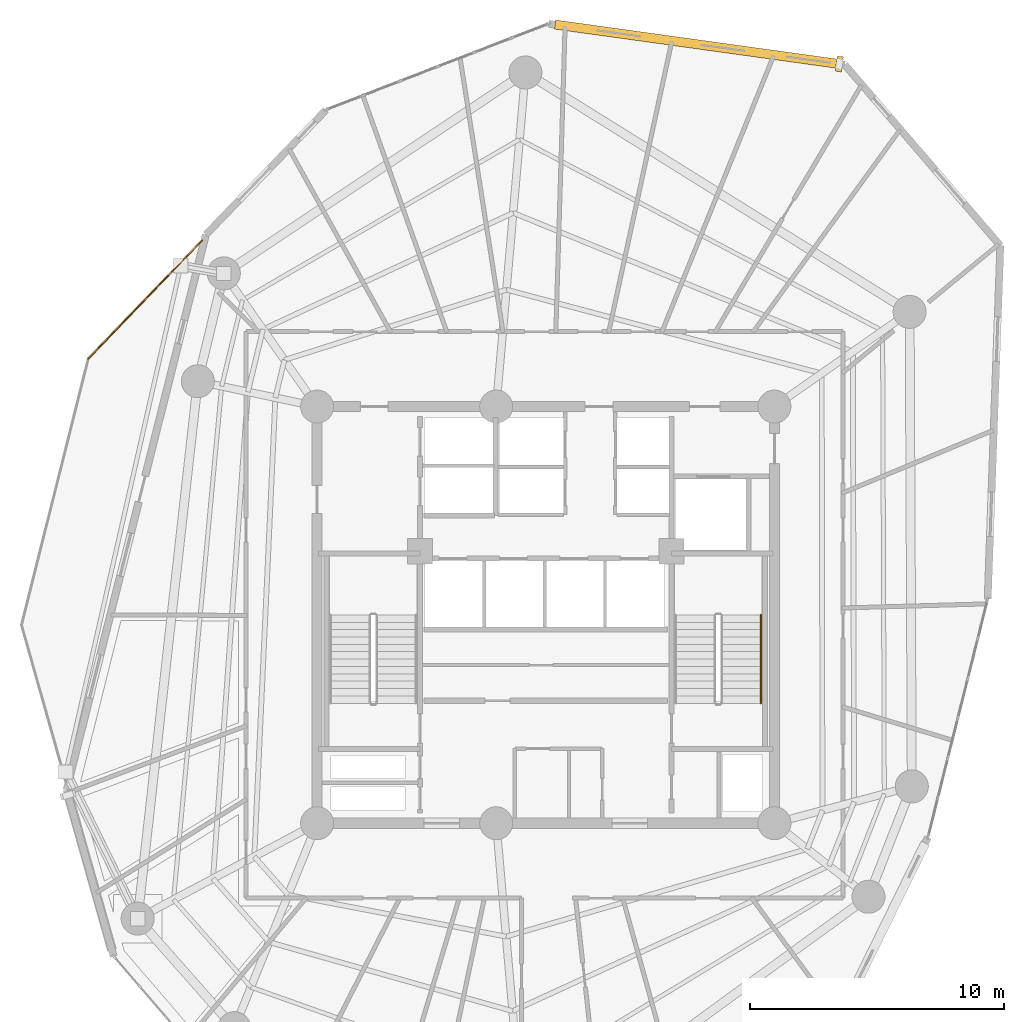
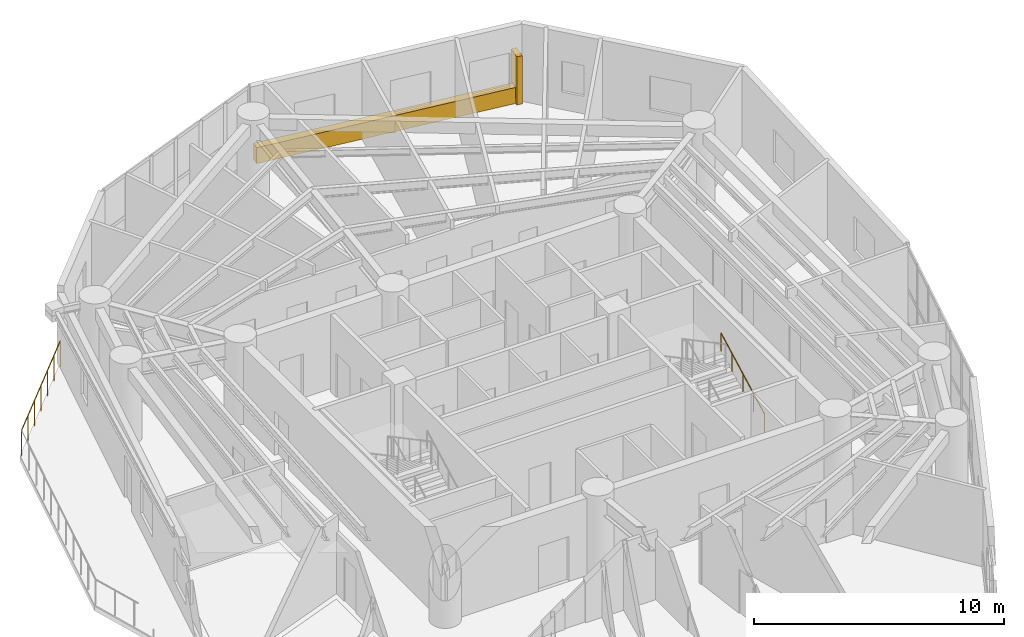
# One storey, part 14 of 14: 2 railings, 1 covering, 1 shading device.
"""IFC4 building model written with IfcOpenShell, lengths in metres."""

from ifc_helpers import new_model, si_unit, direction, frame, origin, origin_with_axes, origin_2d, place, context, subcontext, project, spatial, rectangle, circle, extrude, source, transform, mapped, material, layer, layer_set, type_object, element, save


model = new_model("IFC4")

# Units and contexts
model_context = context("Model", 3, precision=1e-05, world=origin(), true_north=direction((0.0, 1.0)))
body_context = subcontext(model_context, "Body", "Model", "MODEL_VIEW")
ifc_project = project(units=[si_unit("LENGTHUNIT", "METRE"), si_unit("AREAUNIT", "SQUARE_METRE"), si_unit("VOLUMEUNIT", "CUBIC_METRE"), si_unit("PLANEANGLEUNIT", "RADIAN"), si_unit("MASSUNIT", "GRAM", prefix="KILO")], contexts=[model_context])

# Site, building, storey
site_placement = place(None, origin())
site = spatial("IfcSite", under=ifc_project, at=site_placement, CompositionType="ELEMENT")
building_placement = place(site_placement, origin())
building = spatial("IfcBuilding", under=site, at=building_placement, Name="Karkom Vertical University and Central Library", CompositionType="ELEMENT")
storey_placement = place(building_placement, frame((0.0, 0.0, 152.550048828125)))
storey = spatial("IfcBuildingStorey", under=building, at=storey_placement, Name="L43", CompositionType="ELEMENT", Elevation=152.550048828125)

# Railings
ifc_material_1 = material(Name="Architectural painted steel & laminated glass balustrade", Category="steel")
ifc_layer_1 = layer(ifc_material_1, 0.090087890625)
ifc_layer_set_1 = layer_set([ifc_layer_1], Name="Architectural painted steel & laminated glass balustrade")
railing_type_1 = type_object("IfcRailingType", Name="ENV-RL-BAL1300", PredefinedType="BALUSTRADE", material=ifc_layer_set_1)
railing_1_placement = place(storey_placement, frame((10.4951171875, 36.58447265625, 0.0)))
element("IfcRailing", 1, at=railing_1_placement, inside=storey, type_object=railing_type_1, Name="Level 43 Planted Terrace Safety Balustrade 02", PredefinedType="BALUSTRADE", context=body_context, shape_type="SweptSolid", body=[
    extrude(circle(Radius=0.02392578125, at=origin_2d()), frame((0.0, 0.0, 1.27587890625), z_axis=(0.693717214247, 0.720247475981, 0.0), x_axis=(-0.720247475981, 0.693717214247, 0.0)), (0.0, 0.0, 1.0), 6.4599609375),
    extrude(circle(Radius=0.02099609375, at=origin_2d()), origin(), (0.0, 0.0, 1.0), 1.251953125),
    extrude(circle(Radius=0.02099609375, at=origin_2d()), frame((0.746826171875, 0.775390625, 0.0)), (0.0, 0.0, 1.0), 1.251953125),
    extrude(circle(Radius=0.02099609375, at=origin_2d()), frame((1.493896484375, 1.551025390625, 0.0)), (0.0, 0.0, 1.0), 1.251953125),
    extrude(circle(Radius=0.02099609375, at=origin_2d()), frame((2.24072265625, 2.326416015625, 0.0)), (0.0, 0.0, 1.0), 1.251953125),
    extrude(circle(Radius=0.02099609375, at=origin_2d()), frame((2.987548828125, 3.101806640625, 0.0)), (0.0, 0.0, 1.0), 1.251953125),
    extrude(circle(Radius=0.02099609375, at=origin_2d()), frame((3.734619140625, 3.87744140625, 0.0)), (0.0, 0.0, 1.0), 1.251953125),
    extrude(circle(Radius=0.02099609375, at=origin_2d()), frame((4.4814453125, 4.65283203125, 0.0)), (0.0, 0.0, 1.0), 1.251953125),
])
ifc_material_2 = material(Name="Brushed stainless-steel tubular handrail", Category="steel")
ifc_layer_2 = layer(ifc_material_2, 0.048095703125)
ifc_layer_set_2 = layer_set([ifc_layer_2], Name="Brushed stainless-steel tubular handrail")
railing_type_2 = type_object("IfcRailingType", Name="INT-RL-HAND920", PredefinedType="HANDRAIL", material=ifc_layer_set_2)
railing_2_placement = place(storey_placement, frame((36.969970703125, 23.02001953125, 0.15380859375)))
element("IfcRailing", 2, at=railing_2_placement, inside=storey, type_object=railing_type_2, Name="Level 43 ST-2 stair handrail 1", PredefinedType="HANDRAIL", context=body_context, shape_type="SweptSolid", body=[
    extrude(circle(Radius=0.02392578125, at=origin_2d()), frame((0.0, 0.0, 0.8759765625), z_axis=(0.0, 0.883383580571, 0.468650669025), x_axis=(-1.0, 0.0, 0.0)), (0.0, 0.0, 1.0), 3.939453125),
    extrude(circle(Radius=0.02099609375, at=origin_2d()), origin(), (0.0, 0.0, 1.0), 0.851806640625),
    extrude(circle(Radius=0.02099609375, at=origin_2d()), frame((0.0, 0.8701171875, 0.46142578125)), (0.0, 0.0, 1.0), 0.851806640625),
    extrude(circle(Radius=0.02099609375, at=origin_2d()), frame((0.0, 1.739990234375, 0.923095703125)), (0.0, 0.0, 1.0), 0.851806640625),
    extrude(circle(Radius=0.02099609375, at=origin_2d()), frame((0.0, 2.60986328125, 1.384765625)), (0.0, 0.0, 1.0), 0.851806640625),
    extrude(circle(Radius=0.02099609375, at=origin_2d()), frame((0.0, 3.47998046875, 1.84619140625)), (0.0, 0.0, 1.0), 0.851806640625),
])

# Shading device
ifc_material_3 = material(Name="Terracotta-clad precast concrete sun-breaker fin C45/55", Category="masonry")
shading_device_type = type_object("IfcShadingDeviceType", Name="ENV-SHD-BRISE", PredefinedType="USERDEFINED", material=ifc_material_3)
shared_shape_1 = source(origin_with_axes(), body_context, "Body", "SweptSolid", [
    extrude(rectangle(XDim=0.239990234375, YDim=0.60009765625, at=origin_2d()), origin(), (0.0, 0.0, 1.0), 2.35009765625),
])
shading_device_placement = place(storey_placement, frame((40.0576171875, 48.186279296875, 0.0), z_axis=(0.0, 0.0, 1.0), x_axis=(-0.990509463238, 0.137444546037, 0.0)))
element("IfcShadingDevice", 3, at=shading_device_placement, inside=storey, type_object=shading_device_type, Name="Level 43 Brutalist Brise-Soleil Fin 09", ObjectType="BRISE SOLEIL", PredefinedType="USERDEFINED", context=body_context, shape_type="MappedRepresentation", body=[
    mapped(shared_shape_1, transform((0.0, 0.0, 0.0), scale=1.0)),
])

# Covering
ifc_material_4 = material(Name="Hand-pressed red-ochre terracotta brick slip cladding", Category="masonry")
ifc_layer_3 = layer(ifc_material_4, 0.090087890625)
ifc_layer_set_3 = layer_set([ifc_layer_3], Name="Hand-pressed red-ochre terracotta brick slip cladding")
covering_type = type_object("IfcCoveringType", Name="ENV-COV-CLAD", PredefinedType="CLADDING", material=ifc_layer_set_3)
shared_shape_2 = source(origin_with_axes(), body_context, "Body", "SweptSolid", [
    extrude(rectangle(XDim=11.26611328125, YDim=0.360107421875, at=origin_2d()), origin(), (0.0, 0.0, 1.0), 0.780029296875),
])
covering_placement = place(storey_placement, frame((34.4482421875, 48.964599609375, 0.0), z_axis=(0.0, 0.0, 1.0), x_axis=(-0.990509463238, 0.137444546037, 0.0)))
element("IfcCovering", 4, at=covering_placement, inside=storey, type_object=covering_type, Name="Level 43 Terracotta Spandrel Cladding 09", PredefinedType="CLADDING", context=body_context, shape_type="MappedRepresentation", body=[
    mapped(shared_shape_2, transform((0.0, 0.0, 0.0), scale=1.0)),
])

save(model, "model.ifc")
